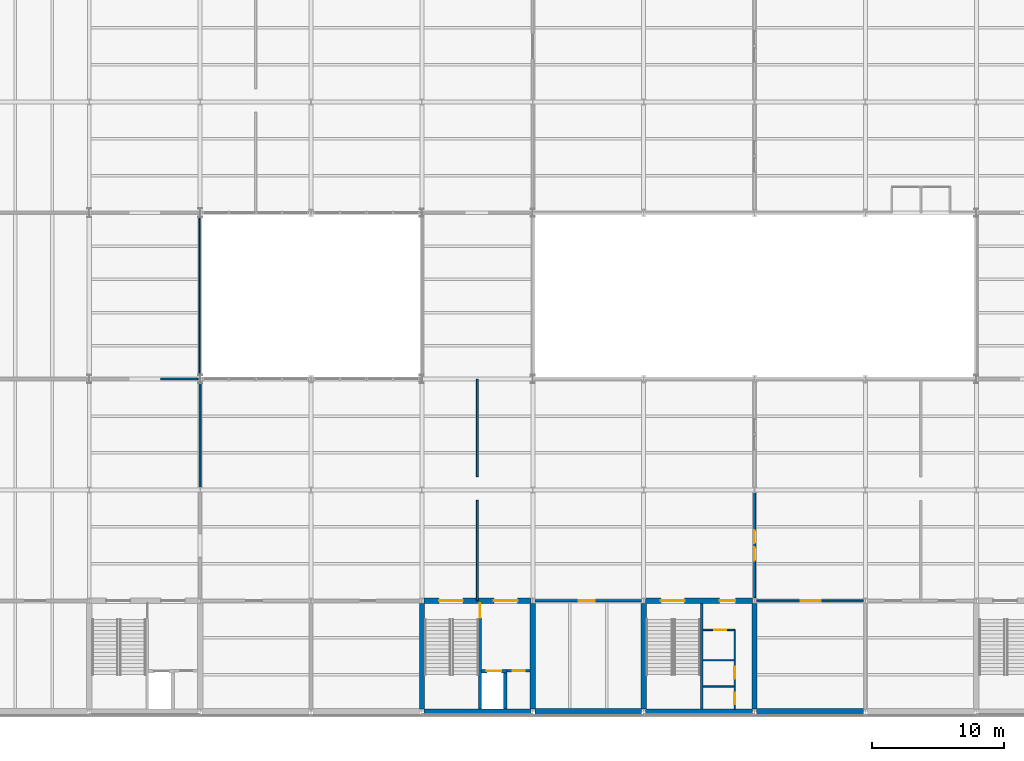
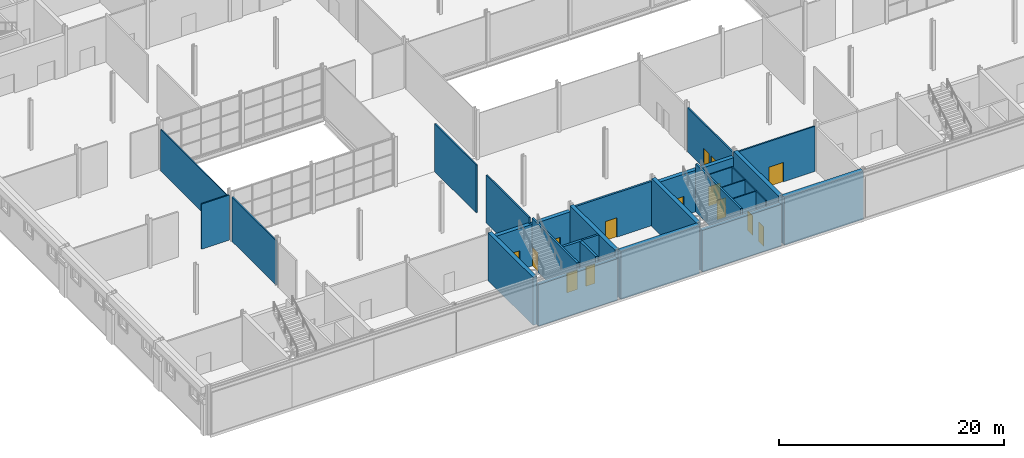
# One storey, part 29 of 57: 29 walls, 14 doors, 14 openings.
"""IFC4 building model written with IfcOpenShell, lengths in metres."""

from ifc_helpers import new_model, si_unit, direction, frame, frame_2d, origin, place, context, subcontext, project, spatial, rectangle, extrude, material, layer, layer_set, type_object, element, fill, save


model = new_model("IFC4")

# Units and contexts
model_context = context("Model", 3, precision=1e-05, world=origin(), true_north=direction((0.0, 1.0)))
body_context = subcontext(model_context, "Body", "Model", "MODEL_VIEW")
ifc_project = project(units=[si_unit("LENGTHUNIT", "METRE"), si_unit("AREAUNIT", "SQUARE_METRE"), si_unit("VOLUMEUNIT", "CUBIC_METRE"), si_unit("PLANEANGLEUNIT", "RADIAN"), si_unit("MASSUNIT", "GRAM", prefix="KILO")], contexts=[model_context])

# Site, building, storey
site_placement = place(None, origin())
site = spatial("IfcSite", under=ifc_project, at=site_placement, CompositionType="ELEMENT")
building_placement = place(site_placement, origin())
building = spatial("IfcBuilding", under=site, at=building_placement, Name="Galleria Vessillo Department Store", CompositionType="ELEMENT")
storey_placement = place(building_placement, frame((0.0, 0.0, 25.800048828125)))
storey = spatial("IfcBuildingStorey", under=building, at=storey_placement, Name="L05", CompositionType="ELEMENT", Elevation=25.800048828125)

# Wall, openings, doors
ifc_material_1 = material(Name="Concrete blockwork", Category="masonry")
ifc_layer_1 = layer(ifc_material_1, 0.14990234375)
ifc_layer_set_1 = layer_set([ifc_layer_1], Name="Concrete blockwork")
wall_type_1 = type_object("IfcWallType", Name="Fire-resisting dividing wall EI 120 150 mm", PredefinedType="SOLIDWALL", material=ifc_layer_set_1)
wall_1_placement = place(storey_placement, frame((58.800048828125, 8.599853515625, 0.0), z_axis=(0.0, 0.0, 1.0), x_axis=(0.0, 1.0, 0.0)))
wall_1 = element("IfcWall", 1, at=wall_1_placement, inside=storey, type_object=wall_type_1, Name="Partition wall PT12 on L05 no. 045", PredefinedType="SOLIDWALL", context=body_context, shape_type="SweptSolid", body=[
    extrude(rectangle(XDim=8.000244140625, YDim=0.14990234375, at=frame_2d((4.0, 0.0))), origin(), (0.0, 0.0, 1.0), 4.809814453125),
])
opening_1_placement = place(wall_1_placement, frame((2.85009765625, 0.0, 0.0)))
opening_1 = element("IfcOpeningElement", 2, at=opening_1_placement, cuts=wall_1, Name="Opening D2725", PredefinedType="OPENING", context=body_context, shape_type="SweptSolid", body=[
    extrude(rectangle(XDim=1.0, YDim=2.10009765625, at=frame_2d((0.5, 1.050048828125))), frame((0.0, 0.0849609375, 0.0), z_axis=(0.0, -1.0, 0.0), x_axis=(1.0, 0.0, 0.0)), (0.0, 0.0, 1.0), 0.169921875),
])
opening_2_placement = place(wall_1_placement, frame((4.14990234375, 0.0, 0.0)))
opening_2 = element("IfcOpeningElement", 3, at=opening_2_placement, cuts=wall_1, Name="Opening D2726", PredefinedType="OPENING", context=body_context, shape_type="SweptSolid", body=[
    extrude(rectangle(XDim=1.0, YDim=2.10009765625, at=frame_2d((0.5, 1.050048828125))), frame((0.0, 0.0849609375, 0.0), z_axis=(0.0, -1.0, 0.0), x_axis=(1.0, 0.0, 0.0)), (0.0, 0.0, 1.0), 0.169921875),
])
ifc_material_2 = material(Name="Steel fire door leaf", Category="steel")
door_type_1 = type_object("IfcDoorType", Name="Fire door EI2 120-Sa 1000 single leaf", OperationType="SINGLE_SWING_LEFT", PredefinedType="DOOR", material=ifc_material_2)
door_1_placement = place(opening_1_placement, origin())
door_1 = element("IfcDoor", 4, at=door_1_placement, inside=storey, type_object=door_type_1, Name="Door D2725", OperationType="SINGLE_SWING_RIGHT", OverallHeight=2.10009765625, OverallWidth=1.0, PredefinedType="DOOR", context=body_context, shape_type="SweptSolid", body=[
    extrude(rectangle(XDim=1.0, YDim=2.10009765625, at=frame_2d((0.5, 1.050048828125))), frame((0.0, 0.02490234375, 0.0), z_axis=(0.0, -1.0, 0.0), x_axis=(1.0, 0.0, 0.0)), (0.0, 0.0, 1.0), 0.050048828125),
])
fill(opening_1, door_1)
door_2_placement = place(opening_2_placement, frame((1.0, 0.0, 0.0), z_axis=(0.0, 0.0, 1.0), x_axis=(-1.0, 0.0, 0.0)))
door_2 = element("IfcDoor", 5, at=door_2_placement, inside=storey, type_object=door_type_1, Name="Door D2726", OperationType="SINGLE_SWING_LEFT", OverallHeight=2.10009765625, OverallWidth=1.0, PredefinedType="DOOR", context=body_context, shape_type="SweptSolid", body=[
    extrude(rectangle(XDim=1.0, YDim=2.10009765625, at=frame_2d((0.5, 1.050048828125))), frame((0.0, 0.02490234375, 0.0), z_axis=(0.0, -1.0, 0.0), x_axis=(1.0, 0.0, 0.0)), (0.0, 0.0, 1.0), 0.050048828125),
])
fill(opening_2, door_2)

# Wall
ifc_material_3 = material(Name="Fire-resisting glass in steel frame S355 J2", Category="steel")
ifc_layer_2 = layer(ifc_material_3, 0.10009765625)
ifc_layer_set_2 = layer_set([ifc_layer_2], Name="Fire-resisting glass in steel frame S355 J2")
wall_type_2 = type_object("IfcWallType", Name="Fire-resisting glazed screen EI 120-Sa 100 mm", PredefinedType="PARTITIONING", material=ifc_layer_set_2)
wall_2_placement = place(storey_placement, frame((16.75, 25.533935546875, 0.0), z_axis=(0.0, 0.0, 1.0), x_axis=(0.0, 1.0, 0.0)))
element("IfcWall", 6, at=wall_2_placement, inside=storey, type_object=wall_type_2, Name="Fire screen, arcade end L05", PredefinedType="PARTITIONING", context=body_context, shape_type="SweptSolid", body=[
    extrude(rectangle(XDim=11.93212890625, YDim=0.10009765625, at=frame_2d((5.966064453125, 0.0))), origin(), (0.0, 0.0, 1.0), 4.510009765625),
])

# Wall, opening, door
ifc_material_4 = material(Name="Concrete blockwork", Category="masonry")
ifc_layer_3 = layer(ifc_material_4, 0.199951171875)
ifc_layer_set_3 = layer_set([ifc_layer_3], Name="Concrete blockwork")
wall_type_3 = type_object("IfcWallType", Name="Kitchen blockwork wall 200 mm", PredefinedType="SOLIDWALL", material=ifc_layer_set_3)
wall_3_placement = place(storey_placement, frame((42.14990234375, 8.39990234375, 0.0), z_axis=(0.0, 0.0, 1.0), x_axis=(1.0, 0.0, 0.0)))
wall_3 = element("IfcWall", 7, at=wall_3_placement, inside=storey, type_object=wall_type_3, Name="Partition wall PT8 on L05 no. 016", PredefinedType="SOLIDWALL", context=body_context, shape_type="SweptSolid", body=[
    extrude(rectangle(XDim=8.10009765625, YDim=0.199951171875, at=frame_2d((4.050048828125, 0.0))), origin(), (0.0, 0.0, 1.0), 4.809814453125),
])
opening_3_placement = place(wall_3_placement, frame((3.35009765625, 0.0, 0.0)))
opening_3 = element("IfcOpeningElement", 8, at=opening_3_placement, cuts=wall_3, Name="Opening D2709", PredefinedType="OPENING", context=body_context, shape_type="SweptSolid", body=[
    extrude(rectangle(XDim=1.199951171875, YDim=2.10009765625, at=frame_2d((0.60009765625, 1.050048828125))), frame((0.0, 0.10986328125, 0.0), z_axis=(0.0, -1.0, 0.0), x_axis=(1.0, 0.0, 0.0)), (0.0, 0.0, 1.0), 0.219970703125),
])
ifc_material_5 = material(Name="Steel fire door leaf", Category="steel")
door_type_2 = type_object("IfcDoorType", Name="Kitchen fire door 1200", OperationType="SINGLE_SWING_LEFT", PredefinedType="DOOR", material=ifc_material_5)
door_3_placement = place(opening_3_placement, frame((1.199951171875, 0.0, 0.0), z_axis=(0.0, 0.0, 1.0), x_axis=(-1.0, 0.0, 0.0)))
door_3 = element("IfcDoor", 9, at=door_3_placement, inside=storey, type_object=door_type_2, Name="Door D2709", OperationType="SINGLE_SWING_RIGHT", OverallHeight=2.10009765625, OverallWidth=1.199951171875, PredefinedType="DOOR", context=body_context, shape_type="SweptSolid", body=[
    extrude(rectangle(XDim=1.199951171875, YDim=2.10009765625, at=frame_2d((0.60009765625, 1.050048828125))), frame((0.0, 0.02490234375, 0.0), z_axis=(0.0, -1.0, 0.0), x_axis=(1.0, 0.0, 0.0)), (0.0, 0.0, 1.0), 0.050048828125),
])
fill(opening_3, door_3)

ifc_material_6 = material(Name="Solid clay block masonry", Category="masonry")
ifc_layer_4 = layer(ifc_material_6, 0.25)
ifc_layer_set_4 = layer_set([ifc_layer_4], Name="Solid clay block masonry")
wall_type_4 = type_object("IfcWallType", Name="Lift shaft wall 250 mm", PredefinedType="SOLIDWALL", material=ifc_layer_set_4)
wall_4_placement = place(storey_placement, frame((38.10009765625, 3.074951171875, 0.0), z_axis=(0.0, 0.0, 1.0), x_axis=(1.0, 0.0, 0.0)))
wall_4 = element("IfcWall", 10, at=wall_4_placement, inside=storey, type_object=wall_type_4, Name="Lift shaft wall LP3 landing side L05", PredefinedType="SOLIDWALL", context=body_context, shape_type="SweptSolid", body=[
    extrude(rectangle(XDim=1.949951171875, YDim=0.25, at=frame_2d((0.97509765625, 0.0))), origin(), (0.0, 0.0, 1.0), 5.199951171875),
])
opening_4_placement = place(wall_4_placement, frame((0.4248046875, 0.0, 0.0)))
opening_4 = element("IfcOpeningElement", 11, at=opening_4_placement, cuts=wall_4, Name="Opening LD024", PredefinedType="OPENING", context=body_context, shape_type="SweptSolid", body=[
    extrude(rectangle(XDim=1.10009765625, YDim=2.10009765625, at=frame_2d((0.550048828125, 1.050048828125))), frame((0.0, 0.135009765625, 0.0), z_axis=(0.0, -1.0, 0.0), x_axis=(1.0, 0.0, 0.0)), (0.0, 0.0, 1.0), 0.27001953125),
])
ifc_material_7 = material(Name="Stainless steel lift door panel", Category="steel")
door_type_3 = type_object("IfcDoorType", Name="Lift landing door LD110 sliding 1100 x 2100", OperationType="SLIDING_TO_LEFT", PredefinedType="DOOR", material=ifc_material_7)
door_4_placement = place(opening_4_placement, origin())
door_4 = element("IfcDoor", 12, at=door_4_placement, inside=storey, type_object=door_type_3, Name="Lift landing door LP3 L05", OperationType="SLIDING_TO_LEFT", OverallHeight=2.10009765625, OverallWidth=1.10009765625, PredefinedType="DOOR", context=body_context, shape_type="SweptSolid", body=[
    extrude(rectangle(XDim=1.10009765625, YDim=2.10009765625, at=frame_2d((0.550048828125, 1.050048828125))), frame((0.0, 0.02490234375, 0.0), z_axis=(0.0, -1.0, 0.0), x_axis=(1.0, 0.0, 0.0)), (0.0, 0.0, 1.0), 0.050048828125),
])
fill(opening_4, door_4)

# Wall
wall_5_placement = place(storey_placement, frame((39.925048828125, 0.199951171875, 0.0), z_axis=(0.0, 0.0, 1.0), x_axis=(0.0, 1.0, 0.0)))
element("IfcWall", 13, at=wall_5_placement, inside=storey, type_object=wall_type_4, Name="Lift shaft wall LP3 L05", PredefinedType="SOLIDWALL", context=body_context, shape_type="SweptSolid", body=[
    extrude(rectangle(XDim=2.75, YDim=0.25, at=frame_2d((1.375, 0.0))), origin(), (0.0, 0.0, 1.0), 5.199951171875),
])

# Wall, openings, doors
ifc_material_8 = material(Name="Concrete C32/40 reinforced", Category="concrete")
ifc_layer_5 = layer(ifc_material_8, 0.39990234375)
ifc_layer_set_5 = layer_set([ifc_layer_5], Name="Concrete C32/40 reinforced")
wall_type_5 = type_object("IfcWallType", Name="Reinforced concrete core wall 400 mm", PredefinedType="SHEAR", material=ifc_layer_set_5)
wall_6_placement = place(storey_placement, frame((33.75, 8.39990234375, 0.0), z_axis=(0.0, 0.0, 1.0), x_axis=(1.0, 0.0, 0.0)))
wall_6 = element("IfcWall", 14, at=wall_6_placement, inside=storey, type_object=wall_type_5, Name="S-CW-PC-SM-INTERIOR-L05", PredefinedType="SHEAR", context=body_context, shape_type="SweptSolid", body=[
    extrude(rectangle(XDim=8.10009765625, YDim=0.39990234375, at=frame_2d((4.050048828125, 0.0))), origin(), (0.0, 0.0, 1.0), 4.510009765625),
])
opening_5_placement = place(wall_6_placement, frame((1.14990234375, 0.0, 0.0)))
opening_5 = element("IfcOpeningElement", 15, at=opening_5_placement, cuts=wall_6, Name="Opening D5094", PredefinedType="OPENING", context=body_context, shape_type="SweptSolid", body=[
    extrude(rectangle(XDim=1.800048828125, YDim=2.10009765625, at=frame_2d((0.89990234375, 1.050048828125))), frame((0.0, 0.2099609375, 0.0), z_axis=(0.0, -1.0, 0.0), x_axis=(1.0, 0.0, 0.0)), (0.0, 0.0, 1.0), 0.419921875),
])
opening_6_placement = place(wall_6_placement, frame((5.2998046875, 0.0, 0.0)))
opening_6 = element("IfcOpeningElement", 16, at=opening_6_placement, cuts=wall_6, Name="Opening D5095", PredefinedType="OPENING", context=body_context, shape_type="SweptSolid", body=[
    extrude(rectangle(XDim=1.800048828125, YDim=2.10009765625, at=frame_2d((0.89990234375, 1.050048828125))), frame((0.0, 0.2099609375, 0.0), z_axis=(0.0, -1.0, 0.0), x_axis=(1.0, 0.0, 0.0)), (0.0, 0.0, 1.0), 0.419921875),
])
ifc_material_9 = material(Name="Fire-rated steel door leaf", Category="steel")
door_type_4 = type_object("IfcDoorType", Name="Door D180F double leaf 1800 x 2100", OperationType="DOUBLE_DOOR_SINGLE_SWING", PredefinedType="DOOR", material=ifc_material_9)
door_5_placement = place(opening_5_placement, frame((1.800048828125, 0.0, 0.0), z_axis=(0.0, 0.0, 1.0), x_axis=(-1.0, 0.0, 0.0)))
door_5 = element("IfcDoor", 17, at=door_5_placement, inside=storey, type_object=door_type_4, Name="Lobby door PC-SM-ST-FLOOR L05", OperationType="DOUBLE_DOOR_SINGLE_SWING", OverallHeight=2.10009765625, OverallWidth=1.800048828125, PredefinedType="DOOR", context=body_context, shape_type="SweptSolid", body=[
    extrude(rectangle(XDim=1.800048828125, YDim=2.10009765625, at=frame_2d((0.89990234375, 1.050048828125))), frame((0.0, 0.02490234375, 0.0), z_axis=(0.0, -1.0, 0.0), x_axis=(1.0, 0.0, 0.0)), (0.0, 0.0, 1.0), 0.050048828125),
])
fill(opening_5, door_5)
door_6_placement = place(opening_6_placement, frame((1.800048828125, 0.0, 0.0), z_axis=(0.0, 0.0, 1.0), x_axis=(-1.0, 0.0, 0.0)))
door_6 = element("IfcDoor", 18, at=door_6_placement, inside=storey, type_object=door_type_4, Name="Lobby door PC-SM-LOBBY-FLOOR L05", OperationType="DOUBLE_DOOR_SINGLE_SWING", OverallHeight=2.10009765625, OverallWidth=1.800048828125, PredefinedType="DOOR", context=body_context, shape_type="SweptSolid", body=[
    extrude(rectangle(XDim=1.800048828125, YDim=2.10009765625, at=frame_2d((0.89990234375, 1.050048828125))), frame((0.0, 0.02490234375, 0.0), z_axis=(0.0, -1.0, 0.0), x_axis=(1.0, 0.0, 0.0)), (0.0, 0.0, 1.0), 0.050048828125),
])
fill(opening_6, door_6)

# Walls
for number, where, z_axis, x_axis, name in (
    (19, (33.60009765625, 0.199951171875, 0.0), (0.0, 0.0, 1.0), (0.0, 1.0, 0.0), "S-CW-PC-SM-WEST-L05"),
    (20, (42.0, 0.199951171875, 0.0), (0.0, 0.0, 1.0), (0.0, 1.0, 0.0), "S-CW-PC-SM-EAST-L05"),
):
    element("IfcWall", number, at=place(storey_placement, frame(where, z_axis=z_axis, x_axis=x_axis)), inside=storey, type_object=wall_type_5, Name=name, PredefinedType="SHEAR", context=body_context, shape_type="SweptSolid", body=[
        extrude(rectangle(XDim=8.0, YDim=0.39990234375, at=frame_2d((4.0, 0.0))), origin(), (0.0, 0.0, 1.0), 5.199951171875),
    ])

# Wall, openings, doors
wall_7_placement = place(storey_placement, frame((50.5498046875, 8.39990234375, 0.0), z_axis=(0.0, 0.0, 1.0), x_axis=(1.0, 0.0, 0.0)))
wall_7 = element("IfcWall", 21, at=wall_7_placement, inside=storey, type_object=wall_type_5, Name="S-CW-PC-SC-INTERIOR-L05", PredefinedType="SHEAR", context=body_context, shape_type="SweptSolid", body=[
    extrude(rectangle(XDim=8.100341796875, YDim=0.39990234375, at=frame_2d((4.05029296875, 0.0))), origin(), (0.0, 0.0, 1.0), 4.510009765625),
])
opening_7_placement = place(wall_7_placement, frame((1.150146484375, 0.0, 0.0)))
opening_7 = element("IfcOpeningElement", 22, at=opening_7_placement, cuts=wall_7, Name="Opening D5202", PredefinedType="OPENING", context=body_context, shape_type="SweptSolid", body=[
    extrude(rectangle(XDim=1.800048828125, YDim=2.10009765625, at=frame_2d((0.89990234375, 1.050048828125))), frame((0.0, 0.2099609375, 0.0), z_axis=(0.0, -1.0, 0.0), x_axis=(1.0, 0.0, 0.0)), (0.0, 0.0, 1.0), 0.419921875),
])
opening_8_placement = place(wall_7_placement, frame((5.60009765625, 0.0, 0.0)))
opening_8 = element("IfcOpeningElement", 23, at=opening_8_placement, cuts=wall_7, Name="Opening D5203", PredefinedType="OPENING", context=body_context, shape_type="SweptSolid", body=[
    extrude(rectangle(XDim=1.199951171875, YDim=2.10009765625, at=frame_2d((0.60009765625, 1.050048828125))), frame((0.0, 0.2099609375, 0.0), z_axis=(0.0, -1.0, 0.0), x_axis=(1.0, 0.0, 0.0)), (0.0, 0.0, 1.0), 0.419921875),
])
ifc_material_10 = material(Name="Fire-rated steel door leaf", Category="steel")
door_type_5 = type_object("IfcDoorType", Name="Door D120F fire door 1200 x 2100", OperationType="SINGLE_SWING_LEFT", PredefinedType="DOOR", material=ifc_material_10)
door_7_placement = place(opening_8_placement, frame((1.199951171875, 0.0, 0.0), z_axis=(0.0, 0.0, 1.0), x_axis=(-1.0, 0.0, 0.0)))
door_7 = element("IfcDoor", 24, at=door_7_placement, inside=storey, type_object=door_type_5, Name="Lobby door PC-SC-WC-FLOOR L05", OperationType="SINGLE_SWING_LEFT", OverallHeight=2.10009765625, OverallWidth=1.199951171875, PredefinedType="DOOR", context=body_context, shape_type="SweptSolid", body=[
    extrude(rectangle(XDim=1.199951171875, YDim=2.10009765625, at=frame_2d((0.60009765625, 1.050048828125))), frame((0.0, 0.02490234375, 0.0), z_axis=(0.0, -1.0, 0.0), x_axis=(1.0, 0.0, 0.0)), (0.0, 0.0, 1.0), 0.050048828125),
])
fill(opening_8, door_7)
door_8_placement = place(opening_7_placement, frame((1.800048828125, 0.0, 0.0), z_axis=(0.0, 0.0, 1.0), x_axis=(-1.0, 0.0, 0.0)))
door_8 = element("IfcDoor", 25, at=door_8_placement, inside=storey, type_object=door_type_4, Name="Lobby door PC-SC-ST-FLOOR L05", OperationType="DOUBLE_DOOR_SINGLE_SWING", OverallHeight=2.10009765625, OverallWidth=1.800048828125, PredefinedType="DOOR", context=body_context, shape_type="SweptSolid", body=[
    extrude(rectangle(XDim=1.800048828125, YDim=2.10009765625, at=frame_2d((0.89990234375, 1.050048828125))), frame((0.0, 0.02490234375, 0.0), z_axis=(0.0, -1.0, 0.0), x_axis=(1.0, 0.0, 0.0)), (0.0, 0.0, 1.0), 0.050048828125),
])
fill(opening_7, door_8)

# Walls
for number, where, z_axis, x_axis, name in (
    (26, (50.39990234375, 0.199951171875, 0.0), (0.0, 0.0, 1.0), (0.0, 1.0, 0.0), "S-CW-PC-SC-WEST-L05"),
    (27, (58.800048828125, 0.199951171875, 0.0), (0.0, 0.0, 1.0), (0.0, 1.0, 0.0), "S-CW-PC-SC-EAST-L05"),
):
    element("IfcWall", number, at=place(storey_placement, frame(where, z_axis=z_axis, x_axis=x_axis)), inside=storey, type_object=wall_type_5, Name=name, PredefinedType="SHEAR", context=body_context, shape_type="SweptSolid", body=[
        extrude(rectangle(XDim=8.0, YDim=0.39990234375, at=frame_2d((4.0, 0.0))), origin(), (0.0, 0.0, 1.0), 5.199951171875),
    ])
ifc_material_11 = material(Name="Concrete C32/40 reinforced", Category="concrete")
ifc_layer_6 = layer(ifc_material_11, 0.39990234375)
ifc_layer_set_6 = layer_set([ifc_layer_6], Name="Concrete C32/40 reinforced")
wall_type_6 = type_object("IfcWallType", Name="Reinforced concrete core wall 400 mm, external", PredefinedType="SHEAR", material=ifc_layer_set_6)
wall_8_placement = place(storey_placement, frame((33.75, 0.0, 0.0), z_axis=(0.0, 0.0, 1.0), x_axis=(1.0, 0.0, 0.0)))
element("IfcWall", 28, at=wall_8_placement, inside=storey, type_object=wall_type_6, Name="S-CW-PC-SM-PARTY-L05", PredefinedType="SHEAR", context=body_context, shape_type="SweptSolid", body=[
    extrude(rectangle(XDim=8.10009765625, YDim=0.39990234375, at=frame_2d((4.050048828125, 0.0))), origin(), (0.0, 0.0, 1.0), 4.510009765625),
])
wall_9_placement = place(storey_placement, frame((50.5498046875, 0.0, 0.0), z_axis=(0.0, 0.0, 1.0), x_axis=(1.0, 0.0, 0.0)))
element("IfcWall", 29, at=wall_9_placement, inside=storey, type_object=wall_type_6, Name="S-CW-PC-SC-PARTY-L05", PredefinedType="SHEAR", context=body_context, shape_type="SweptSolid", body=[
    extrude(rectangle(XDim=8.100341796875, YDim=0.39990234375, at=frame_2d((4.05029296875, 0.0))), origin(), (0.0, 0.0, 1.0), 4.510009765625),
])
ifc_material_12 = material(Name="Concrete C32/40 reinforced", Category="concrete")
ifc_layer_7 = layer(ifc_material_12, 0.5)
ifc_layer_set_7 = layer_set([ifc_layer_7], Name="Concrete C32/40 reinforced")
wall_type_7 = type_object("IfcWallType", Name="Reinforced concrete party wall 500 mm", PredefinedType="SHEAR", material=ifc_layer_set_7)
for number, where, z_axis, x_axis, name in (
    (30, (42.14990234375, 0.0, 0.0), (0.0, 0.0, 1.0), (1.0, 0.0, 0.0), "S-PS-L05-04"),
    (31, (58.949951171875, 0.0, 0.0), (0.0, 0.0, 1.0), (1.0, 0.0, 0.0), "S-PS-L05-05"),
):
    element("IfcWall", number, at=place(storey_placement, frame(where, z_axis=z_axis, x_axis=x_axis)), inside=storey, type_object=wall_type_7, Name=name, PredefinedType="SHEAR", context=body_context, shape_type="SweptSolid", body=[
        extrude(rectangle(XDim=8.10009765625, YDim=0.5, at=frame_2d((4.050048828125, 0.0))), origin(), (0.0, 0.0, 1.0), 5.199951171875),
    ])

# Wall, opening, door
ifc_material_13 = material(Name="Concrete C32/40 reinforced", Category="concrete")
ifc_layer_8 = layer(ifc_material_13, 0.199951171875)
ifc_layer_set_8 = layer_set([ifc_layer_8], Name="Concrete C32/40 reinforced")
wall_type_8 = type_object("IfcWallType", Name="Reinforced concrete stair enclosure wall 200 mm", PredefinedType="SHEAR", material=ifc_layer_set_8)
wall_10_placement = place(storey_placement, frame((38.0, 0.199951171875, 0.0), z_axis=(0.0, 0.0, 1.0), x_axis=(0.0, 1.0, 0.0)))
wall_10 = element("IfcWall", 32, at=wall_10_placement, inside=storey, type_object=wall_type_8, Name="Stair enclosure wall PC-SM L05", PredefinedType="SHEAR", context=body_context, shape_type="SweptSolid", body=[
    extrude(rectangle(XDim=8.0, YDim=0.199951171875, at=frame_2d((4.0, 0.0))), origin(), (0.0, 0.0, 1.0), 5.199951171875),
])
opening_9_placement = place(wall_10_placement, frame((6.89990234375, 0.0, 0.0)))
opening_9 = element("IfcOpeningElement", 33, at=opening_9_placement, cuts=wall_10, Name="Opening D5092", PredefinedType="OPENING", context=body_context, shape_type="SweptSolid", body=[
    extrude(rectangle(XDim=1.11009765625, YDim=2.10009765625, at=frame_2d((0.554931640625, 1.050048828125))), frame((0.0, 0.10986328125, 0.0), z_axis=(0.0, -1.0, 0.0), x_axis=(1.0, 0.0, 0.0)), (0.0, 0.0, 1.0), 0.219970703125),
])
ifc_material_14 = material(Name="Fire-rated steel door leaf", Category="steel")
door_type_6 = type_object("IfcDoorType", Name="Door D110F stair door 1100 x 2100", OperationType="SINGLE_SWING_LEFT", PredefinedType="DOOR", material=ifc_material_14)
door_9_placement = place(opening_9_placement, origin())
door_9 = element("IfcDoor", 34, at=door_9_placement, inside=storey, type_object=door_type_6, Name="Stair door PC-SM-ST-LOBBY L05", OperationType="SINGLE_SWING_RIGHT", OverallHeight=2.10009765625, OverallWidth=1.10009765625, PredefinedType="DOOR", context=body_context, shape_type="SweptSolid", body=[
    extrude(rectangle(XDim=1.10009765625, YDim=2.10009765625, at=frame_2d((0.550048828125, 1.050048828125))), frame((0.0, 0.02490234375, 0.0), z_axis=(0.0, -1.0, 0.0), x_axis=(1.0, 0.0, 0.0)), (0.0, 0.0, 1.0), 0.050048828125),
])
fill(opening_9, door_9)

# Wall
wall_11_placement = place(storey_placement, frame((54.7998046875, 0.199951171875, 0.0), z_axis=(0.0, 0.0, 1.0), x_axis=(0.0, 1.0, 0.0)))
element("IfcWall", 35, at=wall_11_placement, inside=storey, type_object=wall_type_8, Name="Stair enclosure wall PC-SC L05", PredefinedType="SHEAR", context=body_context, shape_type="SweptSolid", body=[
    extrude(rectangle(XDim=8.0, YDim=0.199951171875, at=frame_2d((4.0, 0.0))), origin(), (0.0, 0.0, 1.0), 5.199951171875),
])

# Wall, opening, door
ifc_material_15 = material(Name="Hollow clay block masonry", Category="masonry")
ifc_layer_9 = layer(ifc_material_15, 0.199951171875)
ifc_layer_set_9 = layer_set([ifc_layer_9], Name="Hollow clay block masonry")
wall_type_9 = type_object("IfcWallType", Name="Riser and service room wall 200 mm", PredefinedType="PARTITIONING", material=ifc_layer_set_9)
wall_12_placement = place(storey_placement, frame((40.050048828125, 3.099853515625, 0.0), z_axis=(0.0, 0.0, 1.0), x_axis=(1.0, 0.0, 0.0)))
wall_12 = element("IfcWall", 36, at=wall_12_placement, inside=storey, type_object=wall_type_9, Name="Riser wall PC-SM-RISER L05", PredefinedType="PARTITIONING", context=body_context, shape_type="SweptSolid", body=[
    extrude(rectangle(XDim=1.75, YDim=0.199951171875, at=frame_2d((0.875, 0.0))), origin(), (0.0, 0.0, 1.0), 5.199951171875),
])
opening_10_placement = place(wall_12_placement, frame((0.449951171875, 0.0, 0.0)))
opening_10 = element("IfcOpeningElement", 37, at=opening_10_placement, cuts=wall_12, Name="Opening D5093", PredefinedType="OPENING", context=body_context, shape_type="SweptSolid", body=[
    extrude(rectangle(XDim=0.89990234375, YDim=2.10009765625, at=frame_2d((0.449951171875, 1.050048828125))), frame((0.0, 0.10986328125, 0.0), z_axis=(0.0, -1.0, 0.0), x_axis=(1.0, 0.0, 0.0)), (0.0, 0.0, 1.0), 0.219970703125),
])
ifc_material_16 = material(Name="Fire-rated steel door leaf", Category="steel")
door_type_7 = type_object("IfcDoorType", Name="Door DR90 riser access 900 x 2100", OperationType="SINGLE_SWING_LEFT", PredefinedType="DOOR", material=ifc_material_16)
door_10_placement = place(opening_10_placement, frame((0.89990234375, 0.0, 0.0), z_axis=(0.0, 0.0, 1.0), x_axis=(-1.0, 0.0, 0.0)))
door_10 = element("IfcDoor", 38, at=door_10_placement, inside=storey, type_object=door_type_7, Name="Riser door PC-SM-RISER-D L05", OperationType="SINGLE_SWING_LEFT", OverallHeight=2.10009765625, OverallWidth=0.89990234375, PredefinedType="DOOR", context=body_context, shape_type="SweptSolid", body=[
    extrude(rectangle(XDim=0.89990234375, YDim=2.10009765625, at=frame_2d((0.449951171875, 1.050048828125))), frame((0.0, 0.02490234375, 0.0), z_axis=(0.0, -1.0, 0.0), x_axis=(1.0, 0.0, 0.0)), (0.0, 0.0, 1.0), 0.050048828125),
])
fill(opening_10, door_10)

# Walls
ifc_material_17 = material(Name="Gypsum board partition")
ifc_layer_10 = layer(ifc_material_17, 0.139892578125)
ifc_layer_set_10 = layer_set([ifc_layer_10], Name="Gypsum board partition")
wall_type_10 = type_object("IfcWallType", Name="Sales dividing wall 140 mm", PredefinedType="PARTITIONING", material=ifc_layer_set_10)
wall_13_placement = place(storey_placement, frame((16.800048828125, 17.0, 0.0), z_axis=(0.0, 0.0, 1.0), x_axis=(0.0, 1.0, 0.0)))
element("IfcWall", 39, at=wall_13_placement, inside=storey, type_object=wall_type_10, Name="Partition wall PT3 on L05 no. 039", PredefinedType="PARTITIONING", context=body_context, shape_type="SweptSolid", body=[
    extrude(rectangle(XDim=7.865966796875, YDim=0.139892578125, at=frame_2d((3.93310546875, 0.0))), origin(), (0.0, 0.0, 1.0), 4.809814453125),
])
wall_14_placement = place(storey_placement, frame((13.802490234375, 25.199951171875, 0.0), z_axis=(0.0, 0.0, 1.0), x_axis=(1.0, 0.0, 0.0)))
element("IfcWall", 40, at=wall_14_placement, inside=storey, type_object=wall_type_10, Name="Partition wall PT3 on L05 no. 042", PredefinedType="PARTITIONING", context=body_context, shape_type="SweptSolid", body=[
    extrude(rectangle(XDim=2.844970703125, YDim=0.139892578125, at=frame_2d((1.42236328125, 0.0))), origin(), (0.0, 0.0, 1.0), 4.889892578125),
])
wall_15_placement = place(storey_placement, frame((37.800048828125, 8.409912109375, 0.0), z_axis=(0.0, 0.0, 1.0), x_axis=(0.0, 1.0, 0.0)))
element("IfcWall", 41, at=wall_15_placement, inside=storey, type_object=wall_type_10, Name="Partition wall PT3 on L05 no. 043", PredefinedType="PARTITIONING", context=body_context, shape_type="SweptSolid", body=[
    extrude(rectangle(XDim=7.60009765625, YDim=0.139892578125, at=frame_2d((3.800048828125, 0.0))), origin(), (0.0, 0.0, 1.0), 5.199951171875),
])
wall_16_placement = place(storey_placement, frame((37.800048828125, 17.809814453125, 0.0), z_axis=(0.0, 0.0, 1.0), x_axis=(0.0, 1.0, 0.0)))
element("IfcWall", 42, at=wall_16_placement, inside=storey, type_object=wall_type_10, Name="Partition wall PT3 on L05 no. 044", PredefinedType="PARTITIONING", context=body_context, shape_type="SweptSolid", body=[
    extrude(rectangle(XDim=7.39013671875, YDim=0.139892578125, at=frame_2d((3.695068359375, 0.0))), origin(), (0.0, 0.0, 1.0), 5.199951171875),
])

# Wall, opening, door
ifc_material_18 = material(Name="Concrete blockwork", Category="masonry")
ifc_layer_11 = layer(ifc_material_18, 0.14990234375)
ifc_layer_set_11 = layer_set([ifc_layer_11], Name="Concrete blockwork")
wall_type_11 = type_object("IfcWallType", Name="Stockroom blockwork wall 150 mm", PredefinedType="SOLIDWALL", material=ifc_layer_set_11)
wall_17_placement = place(storey_placement, frame((58.949951171875, 8.39990234375, 0.0), z_axis=(0.0, 0.0, 1.0), x_axis=(1.0, 0.0, 0.0)))
wall_17 = element("IfcWall", 43, at=wall_17_placement, inside=storey, type_object=wall_type_11, Name="Partition wall PT4 on L05 no. 018", PredefinedType="SOLIDWALL", context=body_context, shape_type="SweptSolid", body=[
    extrude(rectangle(XDim=8.10009765625, YDim=0.14990234375, at=frame_2d((4.050048828125, 0.0))), origin(), (0.0, 0.0, 1.0), 4.889892578125),
])
opening_11_placement = place(wall_17_placement, frame((3.35009765625, 0.0, 0.0)))
opening_11 = element("IfcOpeningElement", 44, at=opening_11_placement, cuts=wall_17, Name="Opening D2710", PredefinedType="OPENING", context=body_context, shape_type="SweptSolid", body=[
    extrude(rectangle(XDim=1.5, YDim=2.10009765625, at=frame_2d((0.75, 1.050048828125))), frame((0.0, 0.0849609375, 0.0), z_axis=(0.0, -1.0, 0.0), x_axis=(1.0, 0.0, 0.0)), (0.0, 0.0, 1.0), 0.169921875),
])
ifc_material_19 = material(Name="Steel fire door leaf", Category="steel")
door_type_8 = type_object("IfcDoorType", Name="Stockroom fire door 1500 double leaf", OperationType="DOUBLE_DOOR_SINGLE_SWING", PredefinedType="DOOR", material=ifc_material_19)
door_11_placement = place(opening_11_placement, frame((1.5, 0.0, 0.0), z_axis=(0.0, 0.0, 1.0), x_axis=(-1.0, 0.0, 0.0)))
door_11 = element("IfcDoor", 45, at=door_11_placement, inside=storey, type_object=door_type_8, Name="Door D2710", OperationType="DOUBLE_DOOR_SINGLE_SWING", OverallHeight=2.10009765625, OverallWidth=1.5, PredefinedType="DOOR", context=body_context, shape_type="SweptSolid", body=[
    extrude(rectangle(XDim=1.5, YDim=2.10009765625, at=frame_2d((0.75, 1.050048828125))), frame((0.0, 0.02490234375, 0.0), z_axis=(0.0, -1.0, 0.0), x_axis=(1.0, 0.0, 0.0)), (0.0, 0.0, 1.0), 0.050048828125),
])
fill(opening_11, door_11)

ifc_material_20 = material(Name="Moisture-resistant board partition")
ifc_layer_12 = layer(ifc_material_20, 0.10009765625)
ifc_layer_set_12 = layer_set([ifc_layer_12], Name="Moisture-resistant board partition")
wall_type_12 = type_object("IfcWallType", Name="WC and cubicle partition 100 mm", PredefinedType="PARTITIONING", material=ifc_layer_set_12)
wall_18_placement = place(storey_placement, frame((54.89990234375, 6.199951171875, 0.0), z_axis=(0.0, 0.0, 1.0), x_axis=(1.0, 0.0, 0.0)))
wall_18 = element("IfcWall", 46, at=wall_18_placement, inside=storey, type_object=wall_type_12, Name="Partition wall PT1 on L05 no. 001", PredefinedType="PARTITIONING", context=body_context, shape_type="SweptSolid", body=[
    extrude(rectangle(XDim=2.39990234375, YDim=0.10009765625, at=frame_2d((1.199951171875, 0.0))), origin(), (0.0, 0.0, 1.0), 5.199951171875),
])
opening_12_placement = place(wall_18_placement, frame((0.85009765625, 0.0, 0.0)))
opening_12 = element("IfcOpeningElement", 47, at=opening_12_placement, cuts=wall_18, Name="Opening D2701", PredefinedType="OPENING", context=body_context, shape_type="SweptSolid", body=[
    extrude(rectangle(XDim=0.89990234375, YDim=2.10009765625, at=frame_2d((0.449951171875, 1.050048828125))), frame((0.0, 0.06005859375, 0.0), z_axis=(0.0, -1.0, 0.0), x_axis=(1.0, 0.0, 0.0)), (0.0, 0.0, 1.0), 0.1201171875),
])
ifc_material_21 = material(Name="Timber and glass door leaf", Category="wood")
door_type_9 = type_object("IfcDoorType", Name="Floor door 900 single leaf", OperationType="SINGLE_SWING_LEFT", PredefinedType="DOOR", material=ifc_material_21)
door_12_placement = place(opening_12_placement, origin())
door_12 = element("IfcDoor", 48, at=door_12_placement, inside=storey, type_object=door_type_9, Name="Door D2701", OperationType="SINGLE_SWING_LEFT", OverallHeight=2.10009765625, OverallWidth=0.89990234375, PredefinedType="DOOR", context=body_context, shape_type="SweptSolid", body=[
    extrude(rectangle(XDim=0.89990234375, YDim=2.10009765625, at=frame_2d((0.449951171875, 1.050048828125))), frame((0.0, 0.02490234375, 0.0), z_axis=(0.0, -1.0, 0.0), x_axis=(1.0, 0.0, 0.0)), (0.0, 0.0, 1.0), 0.050048828125),
])
fill(opening_12, door_12)

# Wall
wall_19_placement = place(storey_placement, frame((57.2998046875, 3.89990234375, 0.0), z_axis=(0.0, 0.0, 1.0), x_axis=(0.0, 1.0, 0.0)))
element("IfcWall", 49, at=wall_19_placement, inside=storey, type_object=wall_type_12, Name="Partition wall PT1 on L05 no. 002", PredefinedType="PARTITIONING", context=body_context, shape_type="SweptSolid", body=[
    extrude(rectangle(XDim=2.300048828125, YDim=0.10009765625, at=frame_2d((1.14990234375, 0.0))), origin(), (0.0, 0.0, 1.0), 5.199951171875),
])

# Wall, opening, door
wall_20_placement = place(storey_placement, frame((57.2998046875, 1.89990234375, 0.0), z_axis=(0.0, 0.0, 1.0), x_axis=(0.0, 1.0, 0.0)))
wall_20 = element("IfcWall", 50, at=wall_20_placement, inside=storey, type_object=wall_type_12, Name="Partition wall PT1 on L05 no. 003", PredefinedType="PARTITIONING", context=body_context, shape_type="SweptSolid", body=[
    extrude(rectangle(XDim=2.0, YDim=0.10009765625, at=frame_2d((1.0, 0.0))), origin(), (0.0, 0.0, 1.0), 5.199951171875),
])
opening_13_placement = place(wall_20_placement, frame((0.60009765625, 0.0, 0.0)))
opening_13 = element("IfcOpeningElement", 51, at=opening_13_placement, cuts=wall_20, Name="Opening D2702", PredefinedType="OPENING", context=body_context, shape_type="SweptSolid", body=[
    extrude(rectangle(XDim=0.89990234375, YDim=2.10009765625, at=frame_2d((0.449951171875, 1.050048828125))), frame((0.0, 0.06005859375, 0.0), z_axis=(0.0, -1.0, 0.0), x_axis=(1.0, 0.0, 0.0)), (0.0, 0.0, 1.0), 0.1201171875),
])
door_13_placement = place(opening_13_placement, frame((0.89990234375, 0.0, 0.0), z_axis=(0.0, 0.0, 1.0), x_axis=(-1.0, 0.0, 0.0)))
door_13 = element("IfcDoor", 52, at=door_13_placement, inside=storey, type_object=door_type_9, Name="Door D2702", OperationType="SINGLE_SWING_RIGHT", OverallHeight=2.10009765625, OverallWidth=0.89990234375, PredefinedType="DOOR", context=body_context, shape_type="SweptSolid", body=[
    extrude(rectangle(XDim=0.89990234375, YDim=2.10009765625, at=frame_2d((0.449951171875, 1.050048828125))), frame((0.0, 0.02490234375, 0.0), z_axis=(0.0, -1.0, 0.0), x_axis=(1.0, 0.0, 0.0)), (0.0, 0.0, 1.0), 0.050048828125),
])
fill(opening_13, door_13)

wall_21_placement = place(storey_placement, frame((57.2998046875, 0.199951171875, 0.0), z_axis=(0.0, 0.0, 1.0), x_axis=(0.0, 1.0, 0.0)))
wall_21 = element("IfcWall", 53, at=wall_21_placement, inside=storey, type_object=wall_type_12, Name="Partition wall PT1 on L05 no. 004", PredefinedType="PARTITIONING", context=body_context, shape_type="SweptSolid", body=[
    extrude(rectangle(XDim=1.699951171875, YDim=0.10009765625, at=frame_2d((0.85009765625, 0.0))), origin(), (0.0, 0.0, 1.0), 5.199951171875),
])
opening_14_placement = place(wall_21_placement, frame((0.35009765625, 0.0, 0.0)))
opening_14 = element("IfcOpeningElement", 54, at=opening_14_placement, cuts=wall_21, Name="Opening D2703", PredefinedType="OPENING", context=body_context, shape_type="SweptSolid", body=[
    extrude(rectangle(XDim=0.89990234375, YDim=2.10009765625, at=frame_2d((0.449951171875, 1.050048828125))), frame((0.0, 0.06005859375, 0.0), z_axis=(0.0, -1.0, 0.0), x_axis=(1.0, 0.0, 0.0)), (0.0, 0.0, 1.0), 0.1201171875),
])
ifc_material_22 = material(Name="Timber and glass door leaf", Category="wood")
door_type_10 = type_object("IfcDoorType", Name="Accessible WC door 900 sliding", OperationType="SLIDING_TO_LEFT", PredefinedType="DOOR", material=ifc_material_22)
door_14_placement = place(opening_14_placement, origin())
door_14 = element("IfcDoor", 55, at=door_14_placement, inside=storey, type_object=door_type_10, Name="Door D2703", OperationType="SLIDING_TO_RIGHT", OverallHeight=2.10009765625, OverallWidth=0.89990234375, PredefinedType="DOOR", context=body_context, shape_type="SweptSolid", body=[
    extrude(rectangle(XDim=0.89990234375, YDim=2.10009765625, at=frame_2d((0.449951171875, 1.050048828125))), frame((0.0, 0.02490234375, 0.0), z_axis=(0.0, -1.0, 0.0), x_axis=(1.0, 0.0, 0.0)), (0.0, 0.0, 1.0), 0.050048828125),
])
fill(opening_14, door_14)

# Walls
for number, where, z_axis, x_axis, name in (
    (56, (54.89990234375, 3.89990234375, 0.0), (0.0, 0.0, 1.0), (1.0, 0.0, 0.0), "Partition wall PT1 on L05 no. 005"),
    (57, (54.89990234375, 1.89990234375, 0.0), (0.0, 0.0, 1.0), (1.0, 0.0, 0.0), "Partition wall PT1 on L05 no. 006"),
):
    element("IfcWall", number, at=place(storey_placement, frame(where, z_axis=z_axis, x_axis=x_axis)), inside=storey, type_object=wall_type_12, Name=name, PredefinedType="PARTITIONING", context=body_context, shape_type="SweptSolid", body=[
        extrude(rectangle(XDim=2.39990234375, YDim=0.10009765625, at=frame_2d((1.199951171875, 0.0))), origin(), (0.0, 0.0, 1.0), 5.199951171875),
    ])

save(model, "model.ifc")
